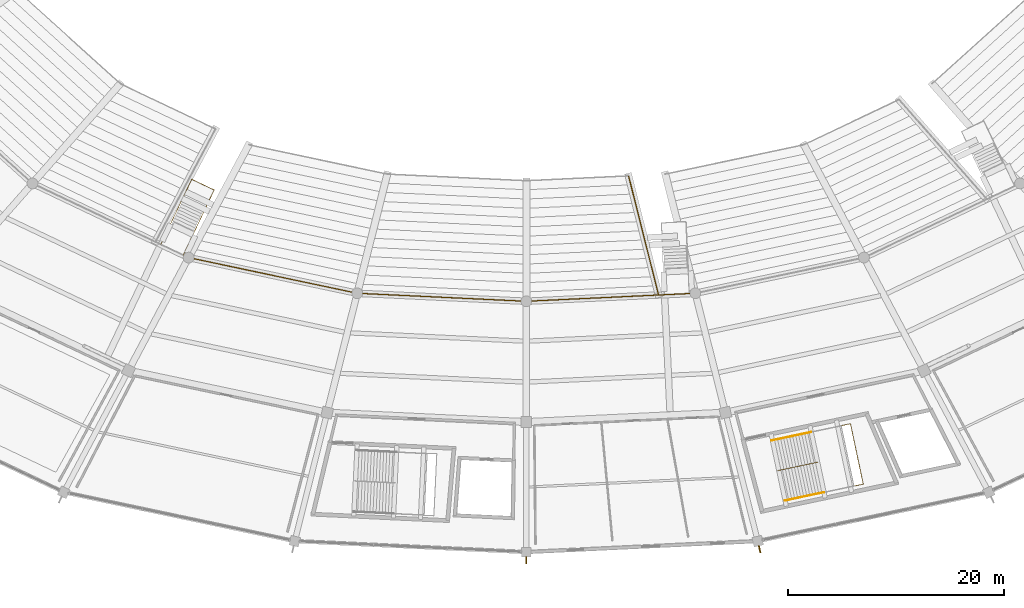
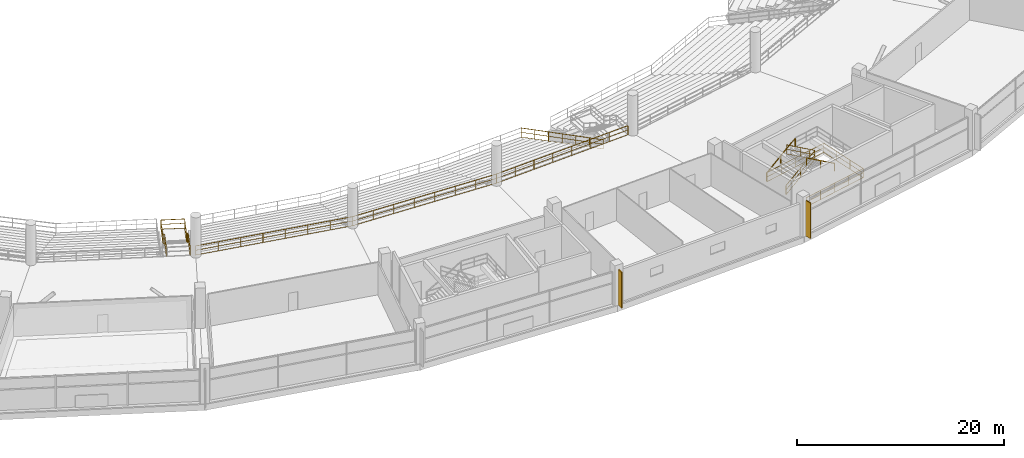
# One storey, part 144 of 156: 9 railings, 2 shading devices.
"""IFC4 building model written with IfcOpenShell, lengths in metres."""

import ifcopenshell
import ifcopenshell.guid

model = None  # the IFC model being written
_history = None  # IfcOwnerHistory: only IFC2X3 demands one
_inside = {}  # id of a spatial element -> (the spatial element, [elements in it])
_under = {}  # id of a project, library or spatial element -> (it, [spatial elements below it])
_declared = {}  # id of a project -> (the project, [libraries it declares])
_typed = {}  # id of a type object -> (the type object, [elements of that type])
_made_of = {}  # id of a material, layer set ... -> (it, [elements and type objects made of it])


def new_model(schema):
    """Start an empty IFC model of exactly this schema.

    Asked for "IFC4X3", IfcOpenShell would pick the latest addendum, in which some entities
    have other attributes; the version numbers below select the first issue.
    IFC2X3 requires an IfcOwnerHistory on every rooted entity: one is made here for all.
    """
    global model, _history
    if schema == "IFC4X3":
        model = ifcopenshell.file(schema_version=(4, 3, 0, 0))
    else:
        model = ifcopenshell.file(schema=schema)
    _inside.clear()
    _under.clear()
    _declared.clear()
    _typed.clear()
    _made_of.clear()
    _history = None
    if model.schema == "IFC2X3":
        org = make("IfcOrganization", Name="unknown")
        user = make(
            "IfcPersonAndOrganization",
            ThePerson=make("IfcPerson", FamilyName="unknown"),
            TheOrganization=org,
        )
        app = make(
            "IfcApplication",
            ApplicationDeveloper=org,
            Version="unknown",
            ApplicationFullName="unknown",
            ApplicationIdentifier="unknown",
        )
        _history = make(
            "IfcOwnerHistory",
            OwningUser=user,
            OwningApplication=app,
            ChangeAction="ADDED",
            CreationDate=0,
        )
    return model


def make(cls, **values):
    """One entity of the class cls with the attributes given. An attribute that is None is left unset."""
    return model.create_entity(
        cls, **{name: value for name, value in values.items() if value is not None}
    )


def rooted(cls, **values):
    """An entity with a GlobalId (a new one), such as an element, a storey or a relation."""
    return make(cls, GlobalId=ifcopenshell.guid.new(), OwnerHistory=_history, **values)


def si_unit(unit_type, name, prefix=None):
    """IfcSIUnit, for example si_unit("LENGTHUNIT", "METRE", prefix="MILLI")."""
    return make("IfcSIUnit", UnitType=unit_type, Prefix=prefix, Name=name)


def assignment(units):
    """IfcUnitAssignment: the units of a project."""
    return None if units is None else make("IfcUnitAssignment", Units=units)


def point(xyz):
    """IfcCartesianPoint."""
    return None if xyz is None else make("IfcCartesianPoint", Coordinates=xyz)


def direction(xyz):
    """IfcDirection."""
    return None if xyz is None else make("IfcDirection", DirectionRatios=xyz)


def frame(location, z_axis=None, x_axis=None):
    """IfcAxis2Placement3D, a coordinate frame: its origin and axes. An axis left out is left unset."""
    return make(
        "IfcAxis2Placement3D",
        Location=point(location),
        Axis=direction(z_axis),
        RefDirection=direction(x_axis),
    )


def frame_2d(location, x_axis=None):
    """IfcAxis2Placement2D, a coordinate frame in the plane: its origin and x axis."""
    return make(
        "IfcAxis2Placement2D", Location=point(location), RefDirection=direction(x_axis)
    )


def origin():
    """The frame at (0, 0, 0) with its axes left unset."""
    return frame((0.0, 0.0, 0.0))


def origin_2d():
    """The frame at (0, 0) in the plane with its x axis left unset."""
    return frame_2d((0.0, 0.0))


def place(relative_to, where):
    """IfcLocalPlacement: puts the frame where relative to a parent placement (None: the world)."""
    return make(
        "IfcLocalPlacement", PlacementRelTo=relative_to, RelativePlacement=where
    )


def context(
    kind, dimensions, precision=None, world=None, true_north=None, identifier=None
):
    """IfcGeometricRepresentationContext, for example the 3D "Model" context."""
    return make(
        "IfcGeometricRepresentationContext",
        ContextIdentifier=identifier,
        ContextType=kind,
        CoordinateSpaceDimension=dimensions,
        Precision=precision,
        WorldCoordinateSystem=world,
        TrueNorth=true_north,
    )


def subcontext(parent, identifier, kind, view, scale=None):
    """IfcGeometricRepresentationSubContext, for example "Body" below "Model"."""
    return make(
        "IfcGeometricRepresentationSubContext",
        ContextIdentifier=identifier,
        ContextType=kind,
        ParentContext=parent,
        TargetScale=scale,
        TargetView=view,
    )


def project(units=None, contexts=None):
    """IfcProject with its units and contexts."""
    return rooted(
        "IfcProject",
        Name="project",
        RepresentationContexts=contexts,
        UnitsInContext=assignment(units),
    )


def spatial(cls, under=None, at=None, **own):
    """A site, building, storey or space (cls), placed at a placement, below another one or the project."""
    s = rooted(cls, ObjectPlacement=at, **own)
    if under is not None:
        _under.setdefault(under.id(), (under, []))[1].append(s)
    return s


def profile(cls, at=None, kind="AREA", **sizes):
    """A parametric profile (cls). Its sizes go by their IFC names, for example OverallWidth=200.0."""
    return make(cls, ProfileType=kind, Position=at, **sizes)


def rectangle(**sizes):
    """IfcRectangleProfileDef."""
    return profile("IfcRectangleProfileDef", **sizes)


def extrude(swept, where, along, depth):
    """IfcExtrudedAreaSolid: the profile swept, set in the frame where, extruded along a direction by depth."""
    return make(
        "IfcExtrudedAreaSolid",
        SweptArea=swept,
        Position=where,
        ExtrudedDirection=direction(along),
        Depth=depth,
    )


def shape(context_of_items, identifier, shape_type, items):
    """IfcShapeRepresentation: the items that make up one representation, for example the "Body"."""
    return make(
        "IfcShapeRepresentation",
        ContextOfItems=context_of_items,
        RepresentationIdentifier=identifier,
        RepresentationType=shape_type,
        Items=items,
    )


def material(Name=None, Category=None):
    """IfcMaterial."""
    return make("IfcMaterial", Name=Name, Category=Category)


def made_of(thing, what):
    """Note that an element or type object is made of a material, layer set ...; save() writes the relation."""
    if what is not None:
        _made_of.setdefault(what.id(), (what, []))[1].append(thing)
    return thing


def type_object(cls, material=None, **own):
    """A type object (cls), such as IfcWallType, which elements share."""
    return made_of(rooted(cls, **own), material)


def element(
    cls,
    number,
    at=None,
    inside=None,
    cuts=None,
    type_object=None,
    material=None,
    context=None,
    identifier="Body",
    shape_type=None,
    held_by="IfcProductDefinitionShape",
    body=None,
    shapes=None,
    **own,
):
    """One element of the class cls, such as IfcWall. Its Tag is "e" and its number.

    at: its placement. inside: the storey or other place that contains it. cuts: it is an
    opening in that element (IfcRelVoidsElement). A single representation is given by context,
    identifier, shape_type and body (its items); several are given by shapes. held_by: the class
    of the entity that holds the representations. save() writes the other relations.
    """
    e = rooted(cls, Tag="e%d" % number, ObjectPlacement=at, **own)
    if body is not None:
        shapes = [shape(context, identifier, shape_type, body)]
    if shapes is not None:
        e.Representation = make(held_by, Representations=shapes)
    if inside is not None:
        _inside.setdefault(inside.id(), (inside, []))[1].append(e)
    if cuts is not None:
        rooted(
            "IfcRelVoidsElement", RelatingBuildingElement=cuts, RelatedOpeningElement=e
        )
    if type_object is not None:
        _typed.setdefault(type_object.id(), (type_object, []))[1].append(e)
    return made_of(e, material)


def aggregate(whole, parts):
    """IfcRelAggregates: a whole, such as a stair, and the parts it consists of."""
    return rooted("IfcRelAggregates", RelatingObject=whole, RelatedObjects=parts)


def save(model, path):
    """Write the relations noted so far, then the file.

    IfcRelAggregates (storeys below a building ...), IfcRelContainedInSpatialStructure (elements
    in a storey), IfcRelDefinesByType, IfcRelAssociatesMaterial and IfcRelDeclares: one each for
    every whole, place, type object, material and project.
    """
    for whole, parts in _under.values():
        aggregate(whole, parts)
    for where, things in _inside.values():
        rooted(
            "IfcRelContainedInSpatialStructure",
            RelatedElements=things,
            RelatingStructure=where,
        )
    for kind, things in _typed.values():
        rooted("IfcRelDefinesByType", RelatedObjects=things, RelatingType=kind)
    for what, things in _made_of.values():
        rooted("IfcRelAssociatesMaterial", RelatedObjects=things, RelatingMaterial=what)
    for by, libraries in _declared.values():
        rooted("IfcRelDeclares", RelatingContext=by, RelatedDefinitions=libraries)
    model.write(path)


model = new_model("IFC4")

# Units and contexts
model_context = context("Model", 3, precision=1e-05, world=origin(), true_north=direction((0.0, 1.0)))
body_context = subcontext(model_context, "Body", "Model", "MODEL_VIEW")
ifc_project = project(units=[si_unit("LENGTHUNIT", "METRE"), si_unit("AREAUNIT", "SQUARE_METRE"), si_unit("VOLUMEUNIT", "CUBIC_METRE"), si_unit("PLANEANGLEUNIT", "RADIAN"), si_unit("MASSUNIT", "GRAM", prefix="KILO")], contexts=[model_context])

# Site, building, storey
site_placement = place(None, origin())
site = spatial("IfcSite", under=ifc_project, at=site_placement, CompositionType="ELEMENT")
building_placement = place(site_placement, origin())
building = spatial("IfcBuilding", under=site, at=building_placement, Name="Kazemori Nagisa Stadium", CompositionType="ELEMENT")
storey_placement = place(building_placement, frame((0.0, 0.0, 5.780029296875)))
storey = spatial("IfcBuildingStorey", under=building, at=storey_placement, Name="L01", CompositionType="ELEMENT", Elevation=5.780029296875)

# Shading devices
ifc_material_1 = material(Name="Aluminium 6063-T5 anodised", Category="aluminium")
shading_device_type = type_object("IfcShadingDeviceType", Name="Fin_FN01", PredefinedType="USERDEFINED", material=ifc_material_1)
for number, where, z_axis, x_axis, name in (
    (1, (123.0, 15.2451171875, 0.0), (0.0, 0.0, 1.0), (0.0, -1.0, 0.0), "Aerodynamic wave shading fin L01-22"),
    (2, (144.595703125, 16.277099609375, 0.0), (0.0, 0.0, 1.0), (0.222520933954, -0.974927912182, 0.0), "Aerodynamic wave shading fin L01-23"),
):
    element("IfcShadingDevice", number, at=place(storey_placement, frame(where, z_axis=z_axis, x_axis=x_axis)), inside=storey, type_object=shading_device_type, Name=name, ObjectType="FIN", PredefinedType="USERDEFINED", context=body_context, shape_type="SweptSolid", body=[
        extrude(rectangle(XDim=0.64990234375, YDim=0.1201171875, at=origin_2d()), origin(), (0.0, 0.0, 1.0), 4.199951171875),
    ])

# Railings
ifc_material_2 = material(Name="Laminated safety glass and stainless steel SUS304", Category="steel")
railing_type_1 = type_object("IfcRailingType", Name="Rail_BAL", PredefinedType="BALUSTRADE", material=ifc_material_2)
railing_1_placement = place(storey_placement, frame((91.75244140625, 43.260986328125, 0.0)))
element("IfcRailing", 3, at=railing_1_placement, inside=storey, type_object=railing_type_1, Name="Concourse bowl balustrade L01-B20", PredefinedType="BALUSTRADE", context=body_context, shape_type="SweptSolid", body=[
    extrude(rectangle(XDim=0.050048828125, YDim=0.050048828125, at=origin_2d()), frame((0.0, 0.0, 1.09521484375), z_axis=(0.978348272746, -0.206965352692, 0.0), x_axis=(0.206965352692, 0.978348272746, 0.0)), (0.0, 0.0, 1.0), 15.950927734375),
    extrude(rectangle(XDim=0.03759765625, YDim=0.03759765625, at=origin_2d()), frame((0.0, 0.0, 0.58251953125), z_axis=(0.978348272746, -0.206965352692, 0.0), x_axis=(0.206965352692, 0.978348272746, 0.0)), (0.0, 0.0, 1.0), 15.950927734375),
    extrude(rectangle(XDim=0.03759765625, YDim=0.03759765625, at=origin_2d()), frame((0.0, 0.0, 0.02490234375), z_axis=(0.978348272746, -0.206965352692, 0.0), x_axis=(0.206965352692, 0.978348272746, 0.0)), (0.0, 0.0, 1.0), 15.950927734375),
    extrude(rectangle(XDim=0.044921875, YDim=0.044921875, at=origin_2d()), origin(), (0.0, 0.0, 1.0), 1.070068359375),
    extrude(rectangle(XDim=0.044921875, YDim=0.044921875, at=origin_2d()), frame((2.229248046875, -0.4716796875, 0.0)), (0.0, 0.0, 1.0), 1.070068359375),
    extrude(rectangle(XDim=0.044921875, YDim=0.044921875, at=origin_2d()), frame((4.458740234375, -0.943115234375, 0.0)), (0.0, 0.0, 1.0), 1.070068359375),
    extrude(rectangle(XDim=0.044921875, YDim=0.044921875, at=origin_2d()), frame((6.68798828125, -1.414794921875, 0.0)), (0.0, 0.0, 1.0), 1.070068359375),
    extrude(rectangle(XDim=0.044921875, YDim=0.044921875, at=origin_2d()), frame((8.91748046875, -1.886474609375, 0.0)), (0.0, 0.0, 1.0), 1.070068359375),
    extrude(rectangle(XDim=0.044921875, YDim=0.044921875, at=origin_2d()), frame((11.146728515625, -2.358154296875, 0.0)), (0.0, 0.0, 1.0), 1.070068359375),
    extrude(rectangle(XDim=0.044921875, YDim=0.044921875, at=origin_2d()), frame((13.376220703125, -2.82958984375, 0.0)), (0.0, 0.0, 1.0), 1.070068359375),
    extrude(rectangle(XDim=0.044921875, YDim=0.044921875, at=origin_2d()), frame((15.60546875, -3.30126953125, 0.0)), (0.0, 0.0, 1.0), 1.070068359375),
])
railing_2_placement = place(storey_placement, frame((107.35791015625, 39.959716796875, 0.0)))
element("IfcRailing", 4, at=railing_2_placement, inside=storey, type_object=railing_type_1, Name="Concourse bowl balustrade L01-B21", PredefinedType="BALUSTRADE", context=body_context, shape_type="SweptSolid", body=[
    extrude(rectangle(XDim=0.050048828125, YDim=0.050048828125, at=origin_2d()), frame((0.0, 0.0, 1.09521484375), z_axis=(0.998883604512, -0.047239227746, 0.0), x_axis=(0.047239227746, 0.998883604512, 0.0)), (0.0, 0.0, 1.0), 15.65966796875),
    extrude(rectangle(XDim=0.03759765625, YDim=0.03759765625, at=origin_2d()), frame((0.0, 0.0, 0.58251953125), z_axis=(0.998883604512, -0.047239227746, 0.0), x_axis=(0.047239227746, 0.998883604512, 0.0)), (0.0, 0.0, 1.0), 15.65966796875),
    extrude(rectangle(XDim=0.03759765625, YDim=0.03759765625, at=origin_2d()), frame((0.0, 0.0, 0.02490234375), z_axis=(0.998883604512, -0.047239227746, 0.0), x_axis=(0.047239227746, 0.998883604512, 0.0)), (0.0, 0.0, 1.0), 15.65966796875),
    extrude(rectangle(XDim=0.044921875, YDim=0.044921875, at=origin_2d()), origin(), (0.0, 0.0, 1.0), 1.070068359375),
    extrude(rectangle(XDim=0.044921875, YDim=0.044921875, at=origin_2d()), frame((2.234619140625, -0.105712890625, 0.0)), (0.0, 0.0, 1.0), 1.070068359375),
    extrude(rectangle(XDim=0.044921875, YDim=0.044921875, at=origin_2d()), frame((4.46923828125, -0.21142578125, 0.0)), (0.0, 0.0, 1.0), 1.070068359375),
    extrude(rectangle(XDim=0.044921875, YDim=0.044921875, at=origin_2d()), frame((6.703857421875, -0.317138671875, 0.0)), (0.0, 0.0, 1.0), 1.070068359375),
    extrude(rectangle(XDim=0.044921875, YDim=0.044921875, at=origin_2d()), frame((8.938232421875, -0.422607421875, 0.0)), (0.0, 0.0, 1.0), 1.070068359375),
    extrude(rectangle(XDim=0.044921875, YDim=0.044921875, at=origin_2d()), frame((11.1728515625, -0.5283203125, 0.0)), (0.0, 0.0, 1.0), 1.070068359375),
    extrude(rectangle(XDim=0.044921875, YDim=0.044921875, at=origin_2d()), frame((13.407470703125, -0.634033203125, 0.0)), (0.0, 0.0, 1.0), 1.070068359375),
    extrude(rectangle(XDim=0.044921875, YDim=0.044921875, at=origin_2d()), frame((15.64208984375, -0.73974609375, 0.0)), (0.0, 0.0, 1.0), 1.070068359375),
])
railing_3_placement = place(storey_placement, frame((123.0, 39.219970703125, 0.0)))
element("IfcRailing", 5, at=railing_3_placement, inside=storey, type_object=railing_type_1, Name="Concourse bowl balustrade L01-B22", PredefinedType="BALUSTRADE", context=body_context, shape_type="SweptSolid", body=[
    extrude(rectangle(XDim=0.050048828125, YDim=0.050048828125, at=origin_2d()), frame((0.0, 0.0, 1.09521484375), z_axis=(0.998884056549, 0.047229668348, 0.0), x_axis=(-0.047229668348, 0.998884056549, 0.0)), (0.0, 0.0, 1.0), 15.109619140625),
    extrude(rectangle(XDim=0.03759765625, YDim=0.03759765625, at=origin_2d()), frame((0.0, 0.0, 0.58251953125), z_axis=(0.998884056549, 0.047229668348, 0.0), x_axis=(-0.047229668348, 0.998884056549, 0.0)), (0.0, 0.0, 1.0), 15.109619140625),
    extrude(rectangle(XDim=0.03759765625, YDim=0.03759765625, at=origin_2d()), frame((0.0, 0.0, 0.02490234375), z_axis=(0.998884056549, 0.047229668348, 0.0), x_axis=(-0.047229668348, 0.998884056549, 0.0)), (0.0, 0.0, 1.0), 15.109619140625),
    extrude(rectangle(XDim=0.044921875, YDim=0.044921875, at=origin_2d()), origin(), (0.0, 0.0, 1.0), 1.070068359375),
    extrude(rectangle(XDim=0.044921875, YDim=0.044921875, at=origin_2d()), frame((2.156005859375, 0.10205078125, 0.0)), (0.0, 0.0, 1.0), 1.070068359375),
    extrude(rectangle(XDim=0.044921875, YDim=0.044921875, at=origin_2d()), frame((4.312255859375, 0.203857421875, 0.0)), (0.0, 0.0, 1.0), 1.070068359375),
    extrude(rectangle(XDim=0.044921875, YDim=0.044921875, at=origin_2d()), frame((6.46826171875, 0.305908203125, 0.0)), (0.0, 0.0, 1.0), 1.070068359375),
    extrude(rectangle(XDim=0.044921875, YDim=0.044921875, at=origin_2d()), frame((8.62451171875, 0.40771484375, 0.0)), (0.0, 0.0, 1.0), 1.070068359375),
    extrude(rectangle(XDim=0.044921875, YDim=0.044921875, at=origin_2d()), frame((10.780517578125, 0.509765625, 0.0)), (0.0, 0.0, 1.0), 1.070068359375),
    extrude(rectangle(XDim=0.044921875, YDim=0.044921875, at=origin_2d()), frame((12.936767578125, 0.611572265625, 0.0)), (0.0, 0.0, 1.0), 1.070068359375),
    extrude(rectangle(XDim=0.044921875, YDim=0.044921875, at=origin_2d()), frame((15.0927734375, 0.713623046875, 0.0)), (0.0, 0.0, 1.0), 1.070068359375),
])
ifc_material_3 = material(Name="Galvanised powder-coated steel", Category="steel")
railing_type_2 = type_object("IfcRailingType", Name="Rail_GUARD", PredefinedType="GUARDRAIL", material=ifc_material_3)
railing_4_placement = place(storey_placement, frame((145.77685546875, 26.353271484375, 0.0)))
element("IfcRailing", 6, at=railing_4_placement, inside=storey, type_object=railing_type_2, Name="Stair well perimeter guard ST06-L01", PredefinedType="GUARDRAIL", context=body_context, shape_type="SweptSolid", body=[
    extrude(rectangle(XDim=0.050048828125, YDim=0.050048828125, at=origin_2d()), frame((0.0, 0.0, 1.09521484375), z_axis=(0.978349960743, 0.20695737318, 0.0), x_axis=(-0.20695737318, 0.978349960743, 0.0)), (0.0, 0.0, 1.0), 7.3798828125),
    extrude(rectangle(XDim=0.03759765625, YDim=0.03759765625, at=origin_2d()), frame((0.0, 0.0, 0.58251953125), z_axis=(0.978349960743, 0.20695737318, 0.0), x_axis=(-0.20695737318, 0.978349960743, 0.0)), (0.0, 0.0, 1.0), 7.3798828125),
    extrude(rectangle(XDim=0.03759765625, YDim=0.03759765625, at=origin_2d()), frame((0.0, 0.0, 0.02490234375), z_axis=(0.978349960743, 0.20695737318, 0.0), x_axis=(-0.20695737318, 0.978349960743, 0.0)), (0.0, 0.0, 1.0), 7.3798828125),
    extrude(rectangle(XDim=0.050048828125, YDim=0.050048828125, at=origin_2d()), frame((7.22021484375, 1.52734375, 1.09521484375), z_axis=(0.207009838232, -0.978338860966, 0.0), x_axis=(0.978338860966, 0.207009838232, 0.0)), (0.0, 0.0, 1.0), 5.699951171875),
    extrude(rectangle(XDim=0.03759765625, YDim=0.03759765625, at=origin_2d()), frame((7.22021484375, 1.52734375, 0.58251953125), z_axis=(0.207009838232, -0.978338860966, 0.0), x_axis=(0.978338860966, 0.207009838232, 0.0)), (0.0, 0.0, 1.0), 5.699951171875),
    extrude(rectangle(XDim=0.03759765625, YDim=0.03759765625, at=origin_2d()), frame((7.22021484375, 1.52734375, 0.02490234375), z_axis=(0.207009838232, -0.978338860966, 0.0), x_axis=(0.978338860966, 0.207009838232, 0.0)), (0.0, 0.0, 1.0), 5.699951171875),
    extrude(rectangle(XDim=0.050048828125, YDim=0.050048828125, at=origin_2d()), frame((8.400146484375, -4.049072265625, 1.09521484375), z_axis=(-0.978343262059, -0.206989037354, 0.0), x_axis=(0.206989037354, -0.978343262059, 0.0)), (0.0, 0.0, 1.0), 7.380126953125),
    extrude(rectangle(XDim=0.03759765625, YDim=0.03759765625, at=origin_2d()), frame((8.400146484375, -4.049072265625, 0.58251953125), z_axis=(-0.978343262059, -0.206989037354, 0.0), x_axis=(0.206989037354, -0.978343262059, 0.0)), (0.0, 0.0, 1.0), 7.380126953125),
    extrude(rectangle(XDim=0.03759765625, YDim=0.03759765625, at=origin_2d()), frame((8.400146484375, -4.049072265625, 0.02490234375), z_axis=(-0.978343262059, -0.206989037354, 0.0), x_axis=(0.206989037354, -0.978343262059, 0.0)), (0.0, 0.0, 1.0), 7.380126953125),
    extrude(rectangle(XDim=0.044921875, YDim=0.044921875, at=origin_2d()), origin(), (0.0, 0.0, 1.0), 1.070068359375),
    extrude(rectangle(XDim=0.044921875, YDim=0.044921875, at=origin_2d()), frame((1.80517578125, 0.3818359375, 0.0)), (0.0, 0.0, 1.0), 1.070068359375),
    extrude(rectangle(XDim=0.044921875, YDim=0.044921875, at=origin_2d()), frame((3.610107421875, 0.763671875, 0.0)), (0.0, 0.0, 1.0), 1.070068359375),
    extrude(rectangle(XDim=0.044921875, YDim=0.044921875, at=origin_2d()), frame((5.4150390625, 1.1455078125, 0.0)), (0.0, 0.0, 1.0), 1.070068359375),
    extrude(rectangle(XDim=0.044921875, YDim=0.044921875, at=origin_2d()), frame((7.22021484375, 1.52734375, 0.0)), (0.0, 0.0, 1.0), 1.070068359375),
    extrude(rectangle(XDim=0.044921875, YDim=0.044921875, at=origin_2d()), frame((7.613525390625, -0.33154296875, 0.0)), (0.0, 0.0, 1.0), 1.070068359375),
    extrude(rectangle(XDim=0.044921875, YDim=0.044921875, at=origin_2d()), frame((8.0068359375, -2.190185546875, 0.0)), (0.0, 0.0, 1.0), 1.070068359375),
    extrude(rectangle(XDim=0.044921875, YDim=0.044921875, at=origin_2d()), frame((8.400146484375, -4.049072265625, 0.0)), (0.0, 0.0, 1.0), 1.070068359375),
    extrude(rectangle(XDim=0.044921875, YDim=0.044921875, at=origin_2d()), frame((6.59521484375, -4.430908203125, 0.0)), (0.0, 0.0, 1.0), 1.070068359375),
    extrude(rectangle(XDim=0.044921875, YDim=0.044921875, at=origin_2d()), frame((4.7900390625, -4.81298828125, 0.0)), (0.0, 0.0, 1.0), 1.070068359375),
    extrude(rectangle(XDim=0.044921875, YDim=0.044921875, at=origin_2d()), frame((2.98486328125, -5.19482421875, 0.0)), (0.0, 0.0, 1.0), 1.070068359375),
    extrude(rectangle(XDim=0.044921875, YDim=0.044921875, at=origin_2d()), frame((1.179931640625, -5.57666015625, 0.0)), (0.0, 0.0, 1.0), 1.070068359375),
])
railing_5_placement = place(storey_placement, frame((146.28857421875, 23.54833984375, 0.0)))
element("IfcRailing", 7, at=railing_5_placement, inside=storey, type_object=railing_type_2, Name="Stair central guard ST06-L01", PredefinedType="GUARDRAIL", context=body_context, shape_type="SweptSolid", body=[
    extrude(rectangle(XDim=0.050048828125, YDim=0.050048828125, at=origin_2d()), frame((0.0, 0.0, 1.09521484375), z_axis=(0.826350204232, 0.174803794781, 0.535340053888), x_axis=(-0.206957394223, 0.978349956292, 0.0)), (0.0, 0.0, 1.0), 4.445556640625),
    extrude(rectangle(XDim=0.03759765625, YDim=0.03759765625, at=origin_2d()), frame((0.0, 0.0, 0.58251953125), z_axis=(0.826350204232, 0.174803794781, 0.535340053888), x_axis=(-0.206957394223, 0.978349956292, 0.0)), (0.0, 0.0, 1.0), 4.445556640625),
    extrude(rectangle(XDim=0.03759765625, YDim=0.03759765625, at=origin_2d()), frame((0.0, 0.0, 0.02490234375), z_axis=(0.826350204232, 0.174803794781, 0.535340053888), x_axis=(-0.206957394223, 0.978349956292, 0.0)), (0.0, 0.0, 1.0), 4.445556640625),
    extrude(rectangle(XDim=0.050048828125, YDim=0.050048828125, at=origin_2d()), frame((3.673583984375, 0.777099609375, 3.47509765625), z_axis=(-0.821174588857, -0.173691780015, 0.543602299638), x_axis=(0.206937802859, -0.978354100389, 0.0)), (0.0, 0.0, 1.0), 4.37841796875),
    extrude(rectangle(XDim=0.03759765625, YDim=0.03759765625, at=origin_2d()), frame((3.673583984375, 0.777099609375, 2.96240234375), z_axis=(-0.821174588857, -0.173691780015, 0.543602299638), x_axis=(0.206937802859, -0.978354100389, 0.0)), (0.0, 0.0, 1.0), 4.37841796875),
    extrude(rectangle(XDim=0.03759765625, YDim=0.03759765625, at=origin_2d()), frame((3.673583984375, 0.777099609375, 2.40478515625), z_axis=(-0.821174588857, -0.173691780015, 0.543602299638), x_axis=(0.206937802859, -0.978354100389, 0.0)), (0.0, 0.0, 1.0), 4.37841796875),
    extrude(rectangle(XDim=0.044921875, YDim=0.044921875, at=origin_2d()), origin(), (0.0, 0.0, 1.0), 1.070068359375),
    extrude(rectangle(XDim=0.044921875, YDim=0.044921875, at=origin_2d()), frame((1.8369140625, 0.388671875, 1.18994140625)), (0.0, 0.0, 1.0), 1.070068359375),
    extrude(rectangle(XDim=0.044921875, YDim=0.044921875, at=origin_2d()), frame((3.673583984375, 0.777099609375, 2.3798828125)), (0.0, 0.0, 1.0), 1.070068359375),
    extrude(rectangle(XDim=0.044921875, YDim=0.044921875, at=origin_2d()), frame((1.8759765625, 0.39697265625, 3.56982421875)), (0.0, 0.0, 1.0), 1.070068359375),
    extrude(rectangle(XDim=0.044921875, YDim=0.044921875, at=origin_2d()), frame((0.078125, 0.0166015625, 4.760009765625)), (0.0, 0.0, 1.0), 1.070068359375),
])
railing_6_placement = place(storey_placement, frame((91.255859375, 43.4970703125, 0.0)))
element("IfcRailing", 8, at=railing_6_placement, inside=storey, type_object=railing_type_2, Name="Vomitory stair guard VL08", PredefinedType="GUARDRAIL", context=body_context, shape_type="SweptSolid", body=[
    extrude(rectangle(XDim=0.050048828125, YDim=0.050048828125, at=origin_2d()), frame((0.0, 0.0, 1.09521484375), z_axis=(0.429125586767, 0.903244834351, 0.0), x_axis=(-0.903244834351, 0.429125586767, 0.0)), (0.0, 0.0, 1.0), 2.099853515625),
    extrude(rectangle(XDim=0.03759765625, YDim=0.03759765625, at=origin_2d()), frame((0.0, 0.0, 0.58251953125), z_axis=(0.429125586767, 0.903244834351, 0.0), x_axis=(-0.903244834351, 0.429125586767, 0.0)), (0.0, 0.0, 1.0), 2.099853515625),
    extrude(rectangle(XDim=0.03759765625, YDim=0.03759765625, at=origin_2d()), frame((0.0, 0.0, 0.02490234375), z_axis=(0.429125586767, 0.903244834351, 0.0), x_axis=(-0.903244834351, 0.429125586767, 0.0)), (0.0, 0.0, 1.0), 2.099853515625),
    extrude(rectangle(XDim=0.050048828125, YDim=0.050048828125, at=origin_2d()), frame((0.901123046875, 1.896728515625, 1.09521484375), z_axis=(0.361545771812, 0.760744945543, -0.539028554639), x_axis=(-0.903189176836, 0.429242717872, 0.0)), (0.0, 0.0, 1.0), 2.67138671875),
    extrude(rectangle(XDim=0.03759765625, YDim=0.03759765625, at=origin_2d()), frame((0.901123046875, 1.896728515625, 0.58251953125), z_axis=(0.361545771812, 0.760744945543, -0.539028554639), x_axis=(-0.903189176836, 0.429242717872, 0.0)), (0.0, 0.0, 1.0), 2.67138671875),
    extrude(rectangle(XDim=0.03759765625, YDim=0.03759765625, at=origin_2d()), frame((0.901123046875, 1.896728515625, 0.02490234375), z_axis=(0.361545771812, 0.760744945543, -0.539028554639), x_axis=(-0.903189176836, 0.429242717872, 0.0)), (0.0, 0.0, 1.0), 2.67138671875),
    extrude(rectangle(XDim=0.050048828125, YDim=0.050048828125, at=origin_2d()), frame((1.866943359375, 3.928955078125, -0.3447265625), z_axis=(0.429149114486, 0.903233656113, 0.0), x_axis=(-0.903233656113, 0.429149114486, 0.0)), (0.0, 0.0, 1.0), 2.320068359375),
    extrude(rectangle(XDim=0.03759765625, YDim=0.03759765625, at=origin_2d()), frame((1.866943359375, 3.928955078125, -0.857421875), z_axis=(0.429149114486, 0.903233656113, 0.0), x_axis=(-0.903233656113, 0.429149114486, 0.0)), (0.0, 0.0, 1.0), 2.320068359375),
    extrude(rectangle(XDim=0.03759765625, YDim=0.03759765625, at=origin_2d()), frame((1.866943359375, 3.928955078125, -1.4150390625), z_axis=(0.429149114486, 0.903233656113, 0.0), x_axis=(-0.903233656113, 0.429149114486, 0.0)), (0.0, 0.0, 1.0), 2.320068359375),
    extrude(rectangle(XDim=0.050048828125, YDim=0.050048828125, at=origin_2d()), frame((2.862548828125, 6.0244140625, -0.3447265625), z_axis=(-0.903185953547, 0.429249500076, 0.0), x_axis=(-0.429249500076, -0.903185953547, 0.0)), (0.0, 0.0, 1.0), 2.300048828125),
    extrude(rectangle(XDim=0.03759765625, YDim=0.03759765625, at=origin_2d()), frame((2.862548828125, 6.0244140625, -0.857421875), z_axis=(-0.903185953547, 0.429249500076, 0.0), x_axis=(-0.429249500076, -0.903185953547, 0.0)), (0.0, 0.0, 1.0), 2.300048828125),
    extrude(rectangle(XDim=0.03759765625, YDim=0.03759765625, at=origin_2d()), frame((2.862548828125, 6.0244140625, -1.4150390625), z_axis=(-0.903185953547, 0.429249500076, 0.0), x_axis=(-0.429249500076, -0.903185953547, 0.0)), (0.0, 0.0, 1.0), 2.300048828125),
    extrude(rectangle(XDim=0.050048828125, YDim=0.050048828125, at=origin_2d()), frame((0.78515625, 7.01171875, -0.3447265625), z_axis=(-0.429149114486, -0.903233656113, 0.0), x_axis=(0.903233656113, -0.429149114486, 0.0)), (0.0, 0.0, 1.0), 2.320068359375),
    extrude(rectangle(XDim=0.03759765625, YDim=0.03759765625, at=origin_2d()), frame((0.78515625, 7.01171875, -0.857421875), z_axis=(-0.429149114486, -0.903233656113, 0.0), x_axis=(0.903233656113, -0.429149114486, 0.0)), (0.0, 0.0, 1.0), 2.320068359375),
    extrude(rectangle(XDim=0.03759765625, YDim=0.03759765625, at=origin_2d()), frame((0.78515625, 7.01171875, -1.4150390625), z_axis=(-0.429149114486, -0.903233656113, 0.0), x_axis=(0.903233656113, -0.429149114486, 0.0)), (0.0, 0.0, 1.0), 2.320068359375),
    extrude(rectangle(XDim=0.050048828125, YDim=0.050048828125, at=origin_2d()), frame((-0.21044921875, 4.916259765625, -0.3447265625), z_axis=(-0.361545771812, -0.760744945543, 0.539028554639), x_axis=(0.903189176836, -0.429242717872, 0.0)), (0.0, 0.0, 1.0), 2.67138671875),
    extrude(rectangle(XDim=0.03759765625, YDim=0.03759765625, at=origin_2d()), frame((-0.21044921875, 4.916259765625, -0.857421875), z_axis=(-0.361545771812, -0.760744945543, 0.539028554639), x_axis=(0.903189176836, -0.429242717872, 0.0)), (0.0, 0.0, 1.0), 2.67138671875),
    extrude(rectangle(XDim=0.03759765625, YDim=0.03759765625, at=origin_2d()), frame((-0.21044921875, 4.916259765625, -1.4150390625), z_axis=(-0.361545771812, -0.760744945543, 0.539028554639), x_axis=(0.903189176836, -0.429242717872, 0.0)), (0.0, 0.0, 1.0), 2.67138671875),
    extrude(rectangle(XDim=0.050048828125, YDim=0.050048828125, at=origin_2d()), frame((-1.17626953125, 2.884033203125, 1.09521484375), z_axis=(-0.429125586767, -0.903244834351, 0.0), x_axis=(0.903244834351, -0.429125586767, 0.0)), (0.0, 0.0, 1.0), 2.099853515625),
    extrude(rectangle(XDim=0.03759765625, YDim=0.03759765625, at=origin_2d()), frame((-1.17626953125, 2.884033203125, 0.58251953125), z_axis=(-0.429125586767, -0.903244834351, 0.0), x_axis=(0.903244834351, -0.429125586767, 0.0)), (0.0, 0.0, 1.0), 2.099853515625),
    extrude(rectangle(XDim=0.03759765625, YDim=0.03759765625, at=origin_2d()), frame((-1.17626953125, 2.884033203125, 0.02490234375), z_axis=(-0.429125586767, -0.903244834351, 0.0), x_axis=(0.903244834351, -0.429125586767, 0.0)), (0.0, 0.0, 1.0), 2.099853515625),
    extrude(rectangle(XDim=0.044921875, YDim=0.044921875, at=origin_2d()), origin(), (0.0, 0.0, 1.0), 1.070068359375),
    extrude(rectangle(XDim=0.044921875, YDim=0.044921875, at=origin_2d()), frame((0.901123046875, 1.896728515625, 0.0)), (0.0, 0.0, 1.0), 1.070068359375),
    extrude(rectangle(XDim=0.044921875, YDim=0.044921875, at=origin_2d()), frame((1.384033203125, 2.912841796875, -0.719970703125)), (0.0, 0.0, 1.0), 1.070068359375),
    extrude(rectangle(XDim=0.044921875, YDim=0.044921875, at=origin_2d()), frame((1.866943359375, 3.928955078125, -1.43994140625)), (0.0, 0.0, 1.0), 1.070068359375),
    extrude(rectangle(XDim=0.044921875, YDim=0.044921875, at=origin_2d()), frame((2.862548828125, 6.0244140625, -1.43994140625)), (0.0, 0.0, 1.0), 1.070068359375),
    extrude(rectangle(XDim=0.044921875, YDim=0.044921875, at=origin_2d()), frame((0.78515625, 7.01171875, -1.43994140625)), (0.0, 0.0, 1.0), 1.070068359375),
    extrude(rectangle(XDim=0.044921875, YDim=0.044921875, at=origin_2d()), frame((-0.21044921875, 4.916259765625, -1.43994140625)), (0.0, 0.0, 1.0), 1.070068359375),
    extrude(rectangle(XDim=0.044921875, YDim=0.044921875, at=origin_2d()), frame((-0.693359375, 3.900146484375, -0.719970703125)), (0.0, 0.0, 1.0), 1.070068359375),
    extrude(rectangle(XDim=0.044921875, YDim=0.044921875, at=origin_2d()), frame((-1.17626953125, 2.884033203125, 0.0)), (0.0, 0.0, 1.0), 1.070068359375),
    extrude(rectangle(XDim=0.044921875, YDim=0.044921875, at=origin_2d()), frame((-2.077392578125, 0.9873046875, 0.0)), (0.0, 0.0, 1.0), 1.070068359375),
])
railing_7_placement = place(storey_placement, frame((132.46044921875, 50.847412109375, -4.919921875)))
element("IfcRailing", 9, at=railing_7_placement, inside=storey, type_object=railing_type_2, Name="Lower tier vomitory aisle guard B22", PredefinedType="GUARDRAIL", context=body_context, shape_type="SweptSolid", body=[
    extrude(rectangle(XDim=0.050048828125, YDim=0.050048828125, at=origin_2d()), frame((0.0, 0.0, 1.09521484375), z_axis=(0.228603142688, -0.906678932445, 0.354505171491), x_axis=(0.969654031052, 0.244481205955, 0.0)), (0.0, 0.0, 1.0), 12.185546875),
    extrude(rectangle(XDim=0.03759765625, YDim=0.03759765625, at=origin_2d()), frame((0.0, 0.0, 0.58251953125), z_axis=(0.228603142688, -0.906678932445, 0.354505171491), x_axis=(0.969654031052, 0.244481205955, 0.0)), (0.0, 0.0, 1.0), 12.185546875),
    extrude(rectangle(XDim=0.03759765625, YDim=0.03759765625, at=origin_2d()), frame((0.0, 0.0, 0.02490234375), z_axis=(0.228603142688, -0.906678932445, 0.354505171491), x_axis=(0.969654031052, 0.244481205955, 0.0)), (0.0, 0.0, 1.0), 12.185546875),
    extrude(rectangle(XDim=0.044921875, YDim=0.044921875, at=origin_2d()), origin(), (0.0, 0.0, 1.0), 1.070068359375),
    extrude(rectangle(XDim=0.044921875, YDim=0.044921875, at=origin_2d()), frame((0.46435546875, -1.84130859375, 0.719970703125)), (0.0, 0.0, 1.0), 1.070068359375),
    extrude(rectangle(XDim=0.044921875, YDim=0.044921875, at=origin_2d()), frame((0.928466796875, -3.682861328125, 1.43994140625)), (0.0, 0.0, 1.0), 1.070068359375),
    extrude(rectangle(XDim=0.044921875, YDim=0.044921875, at=origin_2d()), frame((1.392822265625, -5.524169921875, 2.159912109375)), (0.0, 0.0, 1.0), 1.070068359375),
    extrude(rectangle(XDim=0.044921875, YDim=0.044921875, at=origin_2d()), frame((1.857177734375, -7.365478515625, 2.8798828125)), (0.0, 0.0, 1.0), 1.070068359375),
    extrude(rectangle(XDim=0.044921875, YDim=0.044921875, at=origin_2d()), frame((2.3212890625, -9.20703125, 3.599853515625)), (0.0, 0.0, 1.0), 1.070068359375),
    extrude(rectangle(XDim=0.044921875, YDim=0.044921875, at=origin_2d()), frame((2.78564453125, -11.04833984375, 4.31982421875)), (0.0, 0.0, 1.0), 1.070068359375),
])
ifc_material_4 = material(Name="Stainless steel SUS304", Category="steel")
railing_type_3 = type_object("IfcRailingType", Name="Rail_HAND", PredefinedType="HANDRAIL", material=ifc_material_4)
railing_8_placement = place(storey_placement, frame((145.69873046875, 26.336669921875, 0.169921875)))
element("IfcRailing", 10, at=railing_8_placement, inside=storey, type_object=railing_type_3, Name="Stair handrail ST06-L01-F1", PredefinedType="HANDRAIL", context=body_context, shape_type="SweptSolid", body=[
    extrude(rectangle(XDim=0.050048828125, YDim=0.050048828125, at=origin_2d()), frame((0.0, 0.0, 0.875), z_axis=(0.82632590955, 0.174798655552, 0.535379231222), x_axis=(-0.206957394223, 0.978349956292, 0.0)), (0.0, 0.0, 1.0), 4.44580078125),
    extrude(rectangle(XDim=0.044921875, YDim=0.044921875, at=origin_2d()), origin(), (0.0, 0.0, 1.0), 0.849853515625),
    extrude(rectangle(XDim=0.044921875, YDim=0.044921875, at=origin_2d()), frame((1.8369140625, 0.388671875, 1.18994140625)), (0.0, 0.0, 1.0), 0.849853515625),
    extrude(rectangle(XDim=0.044921875, YDim=0.044921875, at=origin_2d()), frame((3.673583984375, 0.777099609375, 2.380126953125)), (0.0, 0.0, 1.0), 0.849853515625),
])
railing_9_placement = place(storey_placement, frame((150.552001953125, 21.537353515625, 2.550048828125)))
element("IfcRailing", 11, at=railing_9_placement, inside=storey, type_object=railing_type_3, Name="Stair handrail ST06-L01-F2", PredefinedType="HANDRAIL", context=body_context, shape_type="SweptSolid", body=[
    extrude(rectangle(XDim=0.050048828125, YDim=0.050048828125, at=origin_2d()), frame((0.0, 0.0, 0.875), z_axis=(-0.821173364994, -0.173759079541, 0.543582640361), x_axis=(0.207014843841, -0.978337801799, 0.0)), (0.0, 0.0, 1.0), 4.378173828125),
    extrude(rectangle(XDim=0.044921875, YDim=0.044921875, at=origin_2d()), origin(), (0.0, 0.0, 1.0), 0.849853515625),
    extrude(rectangle(XDim=0.044921875, YDim=0.044921875, at=origin_2d()), frame((-1.797607421875, -0.38037109375, 1.18994140625)), (0.0, 0.0, 1.0), 0.849853515625),
    extrude(rectangle(XDim=0.044921875, YDim=0.044921875, at=origin_2d()), frame((-3.59521484375, -0.7607421875, 2.3798828125)), (0.0, 0.0, 1.0), 0.849853515625),
])

save(model, "model.ifc")
